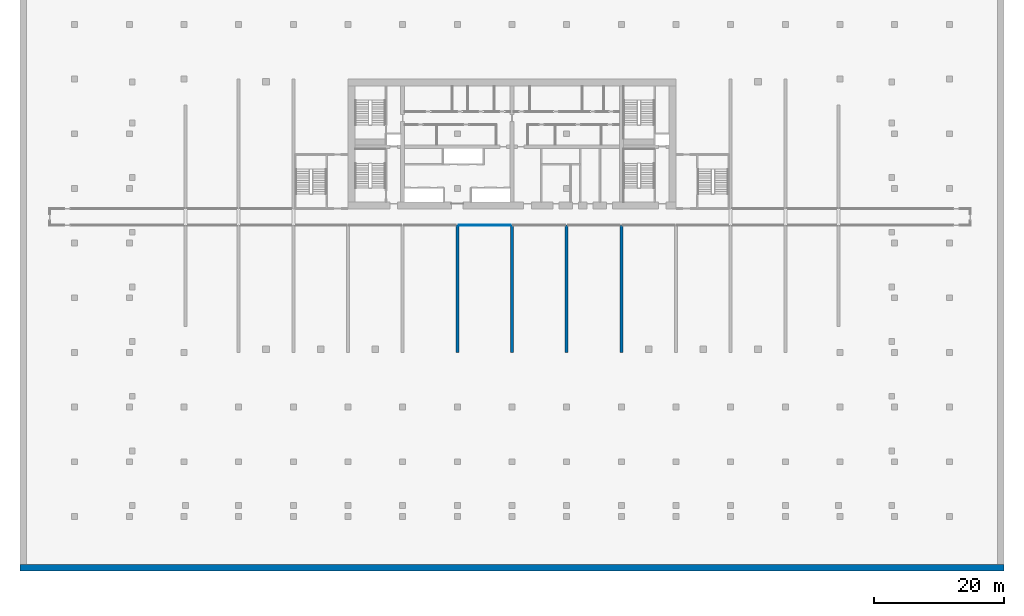
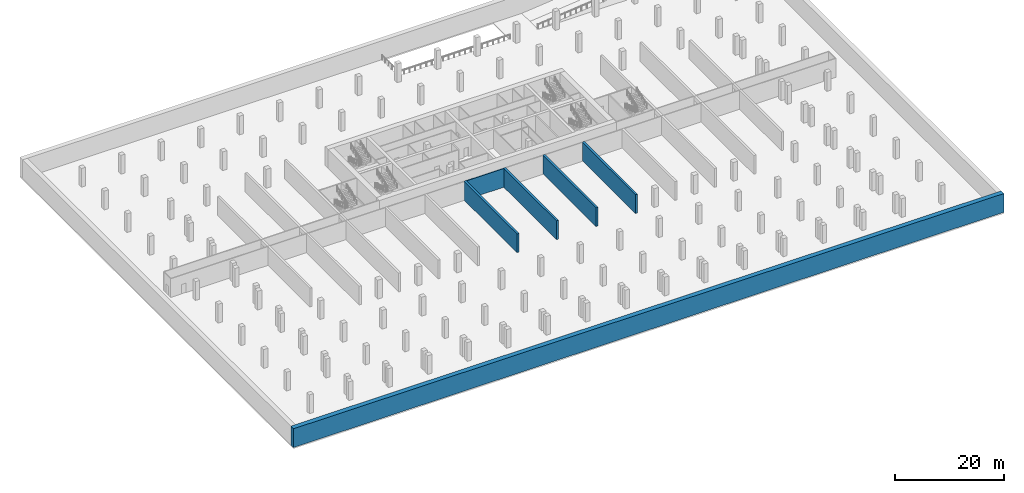
# One storey, part 4 of 12: 6 walls.
"""IFC4 building model written with IfcOpenShell, lengths in metres."""

import ifcopenshell
import ifcopenshell.guid

model = None  # the IFC model being written
_history = None  # IfcOwnerHistory: only IFC2X3 demands one
_inside = {}  # id of a spatial element -> (the spatial element, [elements in it])
_under = {}  # id of a project, library or spatial element -> (it, [spatial elements below it])
_declared = {}  # id of a project -> (the project, [libraries it declares])
_typed = {}  # id of a type object -> (the type object, [elements of that type])
_made_of = {}  # id of a material, layer set ... -> (it, [elements and type objects made of it])


def new_model(schema):
    """Start an empty IFC model of exactly this schema.

    Asked for "IFC4X3", IfcOpenShell would pick the latest addendum, in which some entities
    have other attributes; the version numbers below select the first issue.
    IFC2X3 requires an IfcOwnerHistory on every rooted entity: one is made here for all.
    """
    global model, _history
    if schema == "IFC4X3":
        model = ifcopenshell.file(schema_version=(4, 3, 0, 0))
    else:
        model = ifcopenshell.file(schema=schema)
    _inside.clear()
    _under.clear()
    _declared.clear()
    _typed.clear()
    _made_of.clear()
    _history = None
    if model.schema == "IFC2X3":
        org = make("IfcOrganization", Name="unknown")
        user = make(
            "IfcPersonAndOrganization",
            ThePerson=make("IfcPerson", FamilyName="unknown"),
            TheOrganization=org,
        )
        app = make(
            "IfcApplication",
            ApplicationDeveloper=org,
            Version="unknown",
            ApplicationFullName="unknown",
            ApplicationIdentifier="unknown",
        )
        _history = make(
            "IfcOwnerHistory",
            OwningUser=user,
            OwningApplication=app,
            ChangeAction="ADDED",
            CreationDate=0,
        )
    return model


def make(cls, **values):
    """One entity of the class cls with the attributes given. An attribute that is None is left unset."""
    return model.create_entity(
        cls, **{name: value for name, value in values.items() if value is not None}
    )


def rooted(cls, **values):
    """An entity with a GlobalId (a new one), such as an element, a storey or a relation."""
    return make(cls, GlobalId=ifcopenshell.guid.new(), OwnerHistory=_history, **values)


def si_unit(unit_type, name, prefix=None):
    """IfcSIUnit, for example si_unit("LENGTHUNIT", "METRE", prefix="MILLI")."""
    return make("IfcSIUnit", UnitType=unit_type, Prefix=prefix, Name=name)


def assignment(units):
    """IfcUnitAssignment: the units of a project."""
    return None if units is None else make("IfcUnitAssignment", Units=units)


def point(xyz):
    """IfcCartesianPoint."""
    return None if xyz is None else make("IfcCartesianPoint", Coordinates=xyz)


def direction(xyz):
    """IfcDirection."""
    return None if xyz is None else make("IfcDirection", DirectionRatios=xyz)


def frame(location, z_axis=None, x_axis=None):
    """IfcAxis2Placement3D, a coordinate frame: its origin and axes. An axis left out is left unset."""
    return make(
        "IfcAxis2Placement3D",
        Location=point(location),
        Axis=direction(z_axis),
        RefDirection=direction(x_axis),
    )


def frame_2d(location, x_axis=None):
    """IfcAxis2Placement2D, a coordinate frame in the plane: its origin and x axis."""
    return make(
        "IfcAxis2Placement2D", Location=point(location), RefDirection=direction(x_axis)
    )


def origin():
    """The frame at (0, 0, 0) with its axes left unset."""
    return frame((0.0, 0.0, 0.0))


def place(relative_to, where):
    """IfcLocalPlacement: puts the frame where relative to a parent placement (None: the world)."""
    return make(
        "IfcLocalPlacement", PlacementRelTo=relative_to, RelativePlacement=where
    )


def context(
    kind, dimensions, precision=None, world=None, true_north=None, identifier=None
):
    """IfcGeometricRepresentationContext, for example the 3D "Model" context."""
    return make(
        "IfcGeometricRepresentationContext",
        ContextIdentifier=identifier,
        ContextType=kind,
        CoordinateSpaceDimension=dimensions,
        Precision=precision,
        WorldCoordinateSystem=world,
        TrueNorth=true_north,
    )


def subcontext(parent, identifier, kind, view, scale=None):
    """IfcGeometricRepresentationSubContext, for example "Body" below "Model"."""
    return make(
        "IfcGeometricRepresentationSubContext",
        ContextIdentifier=identifier,
        ContextType=kind,
        ParentContext=parent,
        TargetScale=scale,
        TargetView=view,
    )


def project(units=None, contexts=None):
    """IfcProject with its units and contexts."""
    return rooted(
        "IfcProject",
        Name="project",
        RepresentationContexts=contexts,
        UnitsInContext=assignment(units),
    )


def spatial(cls, under=None, at=None, **own):
    """A site, building, storey or space (cls), placed at a placement, below another one or the project."""
    s = rooted(cls, ObjectPlacement=at, **own)
    if under is not None:
        _under.setdefault(under.id(), (under, []))[1].append(s)
    return s


def profile(cls, at=None, kind="AREA", **sizes):
    """A parametric profile (cls). Its sizes go by their IFC names, for example OverallWidth=200.0."""
    return make(cls, ProfileType=kind, Position=at, **sizes)


def rectangle(**sizes):
    """IfcRectangleProfileDef."""
    return profile("IfcRectangleProfileDef", **sizes)


def extrude(swept, where, along, depth):
    """IfcExtrudedAreaSolid: the profile swept, set in the frame where, extruded along a direction by depth."""
    return make(
        "IfcExtrudedAreaSolid",
        SweptArea=swept,
        Position=where,
        ExtrudedDirection=direction(along),
        Depth=depth,
    )


def shape(context_of_items, identifier, shape_type, items):
    """IfcShapeRepresentation: the items that make up one representation, for example the "Body"."""
    return make(
        "IfcShapeRepresentation",
        ContextOfItems=context_of_items,
        RepresentationIdentifier=identifier,
        RepresentationType=shape_type,
        Items=items,
    )


def source(mapping_origin, context_of_items, identifier, shape_type, items):
    """IfcRepresentationMap: a shape defined once, which mapped items show again and again."""
    return make(
        "IfcRepresentationMap",
        MappingOrigin=mapping_origin,
        MappedRepresentation=shape(context_of_items, identifier, shape_type, items),
    )


def transform(
    local_origin,
    x_axis=None,
    y_axis=None,
    z_axis=None,
    scale=None,
    scale2=None,
    scale3=None,
    uniform=True,
):
    """IfcCartesianTransformationOperator3D, or its non-uniform kind. x_axis, y_axis, z_axis: its Axis1, 2, 3."""
    if uniform:
        return make(
            "IfcCartesianTransformationOperator3D",
            Axis1=direction(x_axis),
            Axis2=direction(y_axis),
            LocalOrigin=point(local_origin),
            Scale=scale,
            Axis3=direction(z_axis),
        )
    return make(
        "IfcCartesianTransformationOperator3DnonUniform",
        Axis1=direction(x_axis),
        Axis2=direction(y_axis),
        LocalOrigin=point(local_origin),
        Scale=scale,
        Axis3=direction(z_axis),
        Scale2=scale2,
        Scale3=scale3,
    )


def mapped(mapping_source, mapping_target):
    """IfcMappedItem: shows the shape of a source again, moved by a transform."""
    return make(
        "IfcMappedItem", MappingSource=mapping_source, MappingTarget=mapping_target
    )


def material(Name=None, Category=None):
    """IfcMaterial."""
    return make("IfcMaterial", Name=Name, Category=Category)


def layer(
    of_material, thickness, ventilated=None, Name=None, Category=None, Priority=None
):
    """IfcMaterialLayer: one layer of a wall or slab, of a material (None: an air gap)."""
    return make(
        "IfcMaterialLayer",
        Material=of_material,
        LayerThickness=thickness,
        IsVentilated=ventilated,
        Name=Name,
        Category=Category,
        Priority=Priority,
    )


def layer_set(layers, Name=None):
    """IfcMaterialLayerSet."""
    return make("IfcMaterialLayerSet", MaterialLayers=layers, LayerSetName=Name)


def made_of(thing, what):
    """Note that an element or type object is made of a material, layer set ...; save() writes the relation."""
    if what is not None:
        _made_of.setdefault(what.id(), (what, []))[1].append(thing)
    return thing


def type_object(cls, material=None, **own):
    """A type object (cls), such as IfcWallType, which elements share."""
    return made_of(rooted(cls, **own), material)


def element(
    cls,
    number,
    at=None,
    inside=None,
    cuts=None,
    type_object=None,
    material=None,
    context=None,
    identifier="Body",
    shape_type=None,
    held_by="IfcProductDefinitionShape",
    body=None,
    shapes=None,
    **own,
):
    """One element of the class cls, such as IfcWall. Its Tag is "e" and its number.

    at: its placement. inside: the storey or other place that contains it. cuts: it is an
    opening in that element (IfcRelVoidsElement). A single representation is given by context,
    identifier, shape_type and body (its items); several are given by shapes. held_by: the class
    of the entity that holds the representations. save() writes the other relations.
    """
    e = rooted(cls, Tag="e%d" % number, ObjectPlacement=at, **own)
    if body is not None:
        shapes = [shape(context, identifier, shape_type, body)]
    if shapes is not None:
        e.Representation = make(held_by, Representations=shapes)
    if inside is not None:
        _inside.setdefault(inside.id(), (inside, []))[1].append(e)
    if cuts is not None:
        rooted(
            "IfcRelVoidsElement", RelatingBuildingElement=cuts, RelatedOpeningElement=e
        )
    if type_object is not None:
        _typed.setdefault(type_object.id(), (type_object, []))[1].append(e)
    return made_of(e, material)


def aggregate(whole, parts):
    """IfcRelAggregates: a whole, such as a stair, and the parts it consists of."""
    return rooted("IfcRelAggregates", RelatingObject=whole, RelatedObjects=parts)


def save(model, path):
    """Write the relations noted so far, then the file.

    IfcRelAggregates (storeys below a building ...), IfcRelContainedInSpatialStructure (elements
    in a storey), IfcRelDefinesByType, IfcRelAssociatesMaterial and IfcRelDeclares: one each for
    every whole, place, type object, material and project.
    """
    for whole, parts in _under.values():
        aggregate(whole, parts)
    for where, things in _inside.values():
        rooted(
            "IfcRelContainedInSpatialStructure",
            RelatedElements=things,
            RelatingStructure=where,
        )
    for kind, things in _typed.values():
        rooted("IfcRelDefinesByType", RelatedObjects=things, RelatingType=kind)
    for what, things in _made_of.values():
        rooted("IfcRelAssociatesMaterial", RelatedObjects=things, RelatingMaterial=what)
    for by, libraries in _declared.values():
        rooted("IfcRelDeclares", RelatingContext=by, RelatedDefinitions=libraries)
    model.write(path)


model = new_model("IFC4")

# Units and contexts
model_context = context("Model", 3, precision=1e-05, world=origin(), true_north=direction((0.0, 1.0)))
body_context = subcontext(model_context, "Body", "Model", "MODEL_VIEW")
ifc_project = project(units=[si_unit("LENGTHUNIT", "METRE"), si_unit("AREAUNIT", "SQUARE_METRE"), si_unit("VOLUMEUNIT", "CUBIC_METRE"), si_unit("PLANEANGLEUNIT", "RADIAN"), si_unit("MASSUNIT", "GRAM", prefix="KILO")], contexts=[model_context])

# Site, building, storey
site_placement = place(None, origin())
site = spatial("IfcSite", under=ifc_project, at=site_placement, CompositionType="ELEMENT")
building_placement = place(site_placement, origin())
building = spatial("IfcBuilding", under=site, at=building_placement, Name="Vanashikhar Sky Hotel", CompositionType="ELEMENT")
storey_placement = place(building_placement, frame((0.0, 0.0, -4.5)))
storey = spatial("IfcBuildingStorey", under=building, at=storey_placement, Name="B1", CompositionType="ELEMENT", Elevation=-4.5)

# Walls
ifc_material_1 = material(Name="Concrete M50", Category="concrete")
ifc_layer_1 = layer(ifc_material_1, 1.0)
ifc_layer_set_1 = layer_set([ifc_layer_1], Name="RC retaining wall 1000 Concrete M50")
wall_type_1 = type_object("IfcWallType", Name="RC retaining wall 1000 Concrete M50", PredefinedType="SHEAR", material=ifc_layer_set_1)
shared_shape_1 = source(origin(), body_context, "Body", "SweptSolid", [
    extrude(rectangle(XDim=151.199951171875, YDim=1.0, at=frame_2d((75.60009765625, 0.0))), origin(), (0.0, 0.0, 1.0), 4.219970703125),
])
wall_1_placement = place(storey_placement, frame((-25.199951171875, -33.10009765625, 0.0), z_axis=(0.0, 0.0, 1.0), x_axis=(1.0, 0.0, 0.0)))
element("IfcWall", 1, at=wall_1_placement, inside=storey, type_object=wall_type_1, Name="RW-B1-S", PredefinedType="SHEAR", context=body_context, shape_type="MappedRepresentation", body=[
    mapped(shared_shape_1, transform((0.0, 0.0, 0.0), scale=1.0)),
])
ifc_material_2 = material(Name="Concrete M80", Category="concrete")
ifc_layer_2 = layer(ifc_material_2, 0.449951171875)
ifc_layer_set_2 = layer_set([ifc_layer_2], Name="RC shear wall 450 Concrete M80")
wall_type_2 = type_object("IfcWallType", Name="RC shear wall 450 Concrete M80", PredefinedType="SHEAR", material=ifc_layer_set_2)
shared_shape_2 = source(origin(), body_context, "Body", "SweptSolid", [
    extrude(rectangle(XDim=19.60009765625, YDim=0.449951171875, at=frame_2d((9.800048828125, 0.0))), origin(), (0.0, 0.0, 1.0), 4.219970703125),
])
for number, where, z_axis, x_axis, name in (
    (2, (42.0, 0.0, 0.0), (0.0, 0.0, 1.0), (0.0, 1.0, 0.0), "CW-B1-XW06-1"),
    (3, (50.39990234375, 0.0, 0.0), (0.0, 0.0, 1.0), (0.0, 1.0, 0.0), "CW-B1-XW07-1"),
    (4, (58.800048828125, 0.0, 0.0), (0.0, 0.0, 1.0), (0.0, 1.0, 0.0), "CW-B1-XW08-1"),
    (5, (67.199951171875, 0.0, 0.0), (0.0, 0.0, 1.0), (0.0, 1.0, 0.0), "CW-B1-XW09-1"),
):
    element("IfcWall", number, at=place(storey_placement, frame(where, z_axis=z_axis, x_axis=x_axis)), inside=storey, type_object=wall_type_2, Name=name, PredefinedType="SHEAR", context=body_context, shape_type="MappedRepresentation", body=[
        mapped(shared_shape_2, transform((0.0, 0.0, 0.0), scale=1.0)),
    ])
ifc_material_3 = material(Name="Concrete M30", Category="concrete")
ifc_layer_3 = layer(ifc_material_3, 0.14990234375)
ifc_layer_set_3 = layer_set([ifc_layer_3], Name="Car park partition 150 mm")
wall_type_3 = type_object("IfcWallType", Name="Car park partition 150 mm", PredefinedType="PARTITIONING", material=ifc_layer_set_3)
shared_shape_3 = source(origin(), body_context, "Body", "SweptSolid", [
    extrude(rectangle(XDim=7.949951171875, YDim=0.14990234375, at=frame_2d((3.97509765625, 0.0))), origin(), (0.0, 0.0, 1.0), 4.219970703125),
])
wall_2_placement = place(storey_placement, frame((42.22509765625, 19.52490234375, 0.0), z_axis=(0.0, 0.0, 1.0), x_axis=(1.0, 0.0, 0.0)))
element("IfcWall", 6, at=wall_2_placement, inside=storey, type_object=wall_type_3, Name="Car park partition", PredefinedType="PARTITIONING", context=body_context, shape_type="MappedRepresentation", body=[
    mapped(shared_shape_3, transform((0.0, 0.0, 0.0), scale=1.0)),
])

save(model, "model.ifc")
